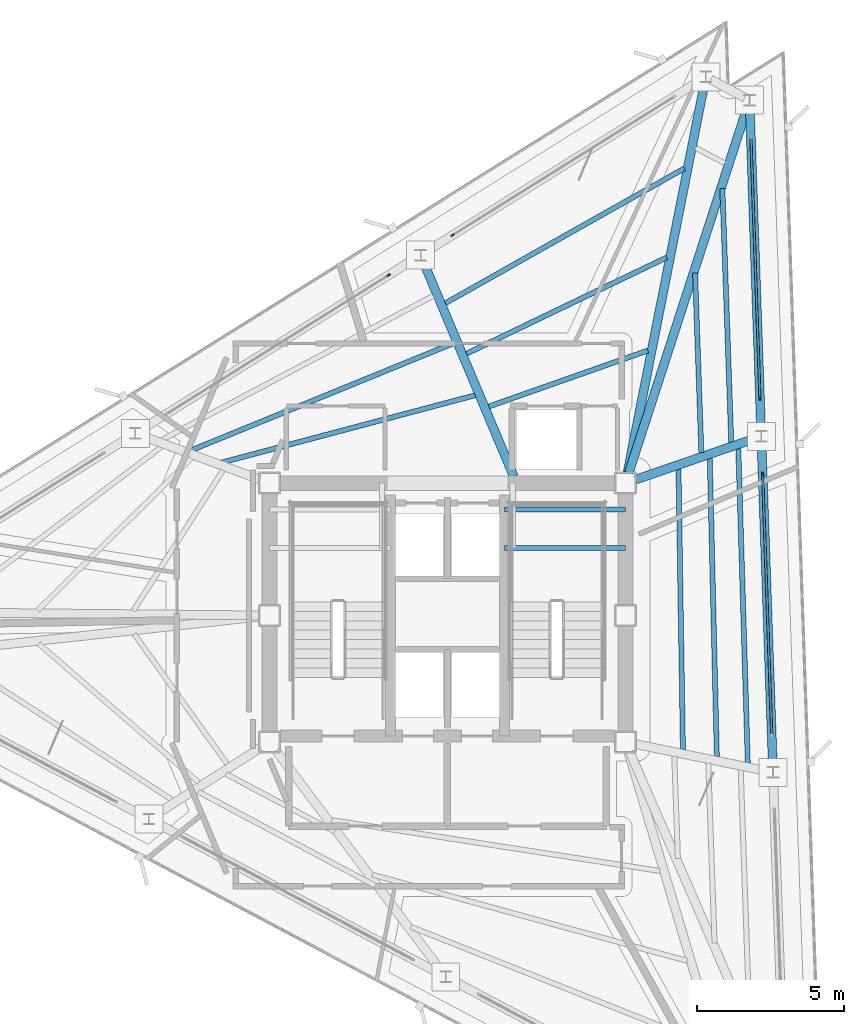
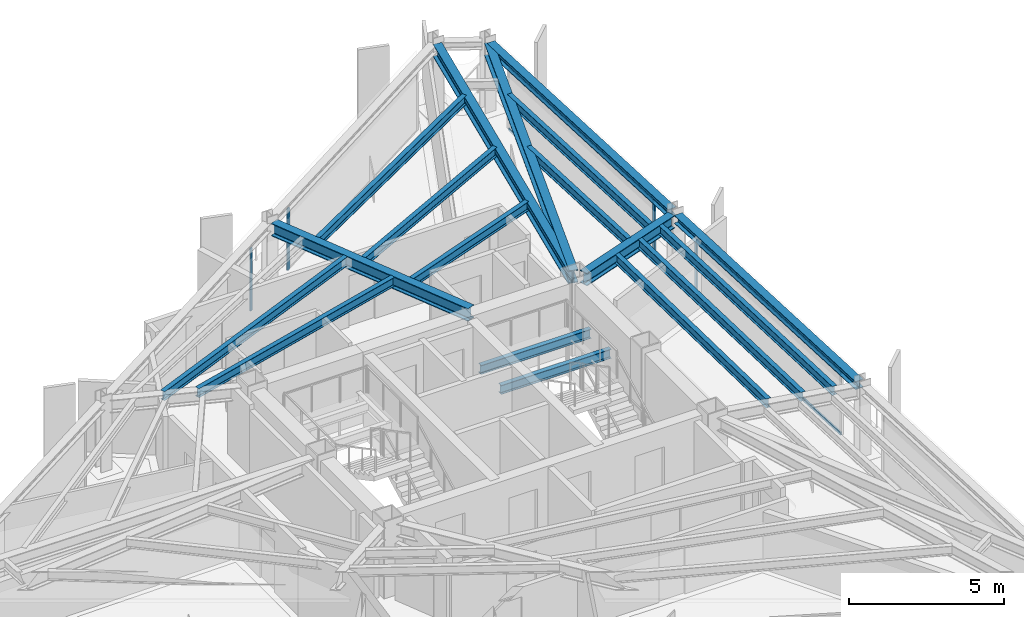
# One storey, part 5 of 13: 18 beams, 8 members, 4 elements without a shape of their own.
"""IFC4 building model written with IfcOpenShell, lengths in metres."""

from ifc_helpers import new_model, si_unit, direction, frame, origin, origin_2d, place, context, subcontext, project, spatial, rectangle, i_section, extrude, material, layer, layer_set, material_profile, profile_set, type_object, element, aggregate, save


model = new_model("IFC4")

# Units and contexts
model_context = context("Model", 3, precision=1e-05, world=origin(), true_north=direction((0.0, 1.0)))
body_context = subcontext(model_context, "Body", "Model", "MODEL_VIEW")
ifc_project = project(units=[si_unit("LENGTHUNIT", "METRE"), si_unit("AREAUNIT", "SQUARE_METRE"), si_unit("VOLUMEUNIT", "CUBIC_METRE"), si_unit("PLANEANGLEUNIT", "RADIAN"), si_unit("MASSUNIT", "GRAM", prefix="KILO")], contexts=[model_context])

# Site, building, storey
site_placement = place(None, origin())
site = spatial("IfcSite", under=ifc_project, at=site_placement, CompositionType="ELEMENT")
building_placement = place(site_placement, origin())
building = spatial("IfcBuilding", under=site, at=building_placement, Name="Rocaltana Carrier Exchange", CompositionType="ELEMENT")
storey_placement = place(building_placement, frame((0.0, 0.0, 193.60009765625)))
storey = spatial("IfcBuildingStorey", under=building, at=storey_placement, Name="L61", CompositionType="ELEMENT", Elevation=193.60009765625)

# Curtain wall, member
ifc_material_1 = material(Name="Aluminium 6063-T6", Category="aluminium")
ifc_layer = layer(ifc_material_1, 0.1201171875)
ifc_layer_set = layer_set([ifc_layer], Name="Aluminium 6063-T6")
curtain_wall_type = type_object("IfcCurtainWallType", Name="High-Altitude Thermal Curtain Wall CW-05", PredefinedType="NOTDEFINED", material=ifc_layer_set)
curtain_wall_1_placement = place(storey_placement, origin())
curtain_wall_1 = element("IfcCurtainWall", 1, at=curtain_wall_1_placement, inside=storey, type_object=curtain_wall_type, Name="L61 CW-05 Run CW-L61-F1S2", PredefinedType="NOTDEFINED")
ifc_material_2 = material(Name="Aluminium 6063-T6", Category="aluminium")
ifc_material_profile_1 = material_profile(ifc_material_2, rectangle(XDim=0.06005859375, YDim=0.1201171875, at=origin_2d()), Name="AL-60X120")
ifc_profile_set_1 = profile_set([ifc_material_profile_1], Name="Aluminium 6063-T6")
member_type_1 = type_object("IfcMemberType", Name="CW-05 Mullion AL-60X120", PredefinedType="MULLION", material=ifc_profile_set_1)
member_1_placement = place(storey_placement, frame((10.712890625, 4.8134765625, 0.0), z_axis=(0.0, 0.0, 1.0), x_axis=(-0.999390720156, -0.034902556738, 0.0)))
member_1 = element("IfcMember", 2, at=member_1_placement, type_object=member_type_1, Name="CW-05 mullion 2", PredefinedType="MULLION", context=body_context, shape_type="SweptSolid", body=[
    extrude(rectangle(XDim=0.06005859375, YDim=0.1201171875, at=origin_2d()), origin(), (0.0, 0.0, 1.0), 2.447998046875),
])

curtain_wall_2_placement = place(storey_placement, origin())
curtain_wall_2 = element("IfcCurtainWall", 3, at=curtain_wall_2_placement, inside=storey, type_object=curtain_wall_type, Name="L61 CW-05 Run CW-L61-F1S3", PredefinedType="NOTDEFINED")
member_2_placement = place(storey_placement, frame((10.62353515625, 7.371826171875, 0.0), z_axis=(0.0, 0.0, 1.0), x_axis=(-0.999390720156, -0.034902556738, 0.0)))
member_2 = element("IfcMember", 4, at=member_2_placement, type_object=member_type_1, Name="CW-05 mullion 1", PredefinedType="MULLION", context=body_context, shape_type="SweptSolid", body=[
    extrude(rectangle(XDim=0.06005859375, YDim=0.1201171875, at=origin_2d()), origin(), (0.0, 0.0, 1.0), 2.447998046875),
])

curtain_wall_3_placement = place(storey_placement, origin())
curtain_wall_3 = element("IfcCurtainWall", 5, at=curtain_wall_3_placement, inside=storey, type_object=curtain_wall_type, Name="L61 CW-05 Run CW-L61-F2S1", PredefinedType="NOTDEFINED")
member_3_placement = place(storey_placement, frame((0.171142578125, 12.9296875, 0.0), z_axis=(0.0, 0.0, 1.0), x_axis=(0.529928503412, -0.848042322807, 0.0)))
member_3 = element("IfcMember", 6, at=member_3_placement, type_object=member_type_1, Name="CW-05 mullion 2", PredefinedType="MULLION", context=body_context, shape_type="SweptSolid", body=[
    extrude(rectangle(XDim=0.06005859375, YDim=0.1201171875, at=origin_2d()), origin(), (0.0, 0.0, 1.0), 2.447998046875),
])
aggregate(curtain_wall_3, [member_3])

curtain_wall_4_placement = place(storey_placement, origin())
curtain_wall_4 = element("IfcCurtainWall", 7, at=curtain_wall_4_placement, inside=storey, type_object=curtain_wall_type, Name="L61 CW-05 Run CW-L61-F2S2", PredefinedType="NOTDEFINED")
member_4_placement = place(storey_placement, frame((-2.0, 11.572998046875, 0.0), z_axis=(0.0, 0.0, 1.0), x_axis=(0.529920452816, -0.848047353446, 0.0)))
member_4 = element("IfcMember", 8, at=member_4_placement, type_object=member_type_1, Name="CW-05 mullion 1", PredefinedType="MULLION", context=body_context, shape_type="SweptSolid", body=[
    extrude(rectangle(XDim=0.06005859375, YDim=0.1201171875, at=origin_2d()), origin(), (0.0, 0.0, 1.0), 2.447998046875),
])
aggregate(curtain_wall_4, [member_4])

# Member
ifc_material_3 = material(Name="Aluminium 6063-T6", Category="aluminium")
ifc_material_profile_2 = material_profile(ifc_material_3, rectangle(XDim=0.06005859375, YDim=0.1201171875, at=origin_2d()), Name="AL-60X120")
ifc_profile_set_2 = profile_set([ifc_material_profile_2], Name="Aluminium 6063-T6")
member_type_2 = type_object("IfcMemberType", Name="CW-05 Transom AL-60X120", PredefinedType="USERDEFINED", material=ifc_profile_set_2)
member_5_placement = place(storey_placement, frame((11.021484375, -4.024658203125, 0.02978515625), z_axis=(-0.034903051323, 0.999390702883, 0.0), x_axis=(-0.999390702883, -0.034903051323, 0.0)))
member_5 = element("IfcMember", 9, at=member_5_placement, type_object=member_type_2, Name="CW-05 transom 1.1", ObjectType="TRANSOM", PredefinedType="USERDEFINED", context=body_context, shape_type="SweptSolid", body=[
    extrude(rectangle(XDim=0.06005859375, YDim=0.1201171875, at=origin_2d()), origin(), (0.0, 0.0, 1.0), 8.8134765625),
])

member_6_placement = place(storey_placement, frame((11.021484375, -4.024658203125, 2.41796875), z_axis=(-0.034903051323, 0.999390702883, 0.0), x_axis=(-0.999390702883, -0.034903051323, 0.0)))
member_6 = element("IfcMember", 10, at=member_6_placement, type_object=member_type_2, Name="CW-05 transom 1.2", ObjectType="TRANSOM", PredefinedType="USERDEFINED", context=body_context, shape_type="SweptSolid", body=[
    extrude(rectangle(XDim=0.06005859375, YDim=0.1201171875, at=origin_2d()), origin(), (0.0, 0.0, 1.0), 8.8134765625),
])

aggregate(curtain_wall_1, [member_1, member_5, member_6])

member_7_placement = place(storey_placement, frame((10.62255859375, 7.40185546875, 0.02978515625), z_axis=(-0.034903051323, 0.999390702883, 0.0), x_axis=(-0.999390702883, -0.034903051323, 0.0)))
member_7 = element("IfcMember", 11, at=member_7_placement, type_object=member_type_2, Name="CW-05 transom 1.1", ObjectType="TRANSOM", PredefinedType="USERDEFINED", context=body_context, shape_type="SweptSolid", body=[
    extrude(rectangle(XDim=0.06005859375, YDim=0.1201171875, at=origin_2d()), origin(), (0.0, 0.0, 1.0), 8.8134765625),
])

member_8_placement = place(storey_placement, frame((10.62255859375, 7.40185546875, 2.41796875), z_axis=(-0.034903051323, 0.999390702883, 0.0), x_axis=(-0.999390702883, -0.034903051323, 0.0)))
member_8 = element("IfcMember", 12, at=member_8_placement, type_object=member_type_2, Name="CW-05 transom 1.2", ObjectType="TRANSOM", PredefinedType="USERDEFINED", context=body_context, shape_type="SweptSolid", body=[
    extrude(rectangle(XDim=0.06005859375, YDim=0.1201171875, at=origin_2d()), origin(), (0.0, 0.0, 1.0), 8.8134765625),
])

aggregate(curtain_wall_2, [member_2, member_7, member_8])

# Beams
ifc_material_4 = material(Name="Steel S355", Category="steel")
ifc_material_profile_3 = material_profile(ifc_material_4, i_section(OverallWidth=0.172119140625, OverallDepth=0.35791015625, WebThickness=0.0078125, FlangeThickness=0.01318359375, FilletRadius=0.011962890625, at=origin_2d()), Name="W14X38")
ifc_profile_set_3 = profile_set([ifc_material_profile_3], Name="Steel S355")
beam_type_1 = type_object("IfcBeamType", Name="Floor Joist W14X38", PredefinedType="JOIST", material=ifc_profile_set_3)
for number, where, z_axis, x_axis, name in (
    (13, (1.93994140625, 2.300048828125, 1.140869140625), (1.0, 0.0, 0.0), (0.0, 1.0, 0.0), "L61 ST-2 Landing Carrier 1"),
    (14, (1.93994140625, 3.60009765625, 1.140869140625), (1.0, 0.0, 0.0), (0.0, 1.0, 0.0), "L61 ST-2 Landing Carrier 2"),
):
    element("IfcBeam", number, at=place(storey_placement, frame(where, z_axis=z_axis, x_axis=x_axis)), inside=storey, type_object=beam_type_1, Name=name, PredefinedType="JOIST", context=body_context, shape_type="SweptSolid", body=[
        extrude(i_section(OverallWidth=0.172119140625, OverallDepth=0.35791015625, WebThickness=0.0078125, FlangeThickness=0.01318359375, FilletRadius=0.011962890625, at=origin_2d()), origin(), (0.0, 0.0, 1.0), 4.110107421875),
    ])
beam_1_placement = place(storey_placement, frame((8.00439453125, -4.55908203125, 2.618896484375), z_axis=(-0.015819427731, 0.999874865024, 0.0), x_axis=(-0.999874865024, -0.015819427731, 0.0)))
element("IfcBeam", 15, at=beam_1_placement, inside=storey, type_object=beam_type_1, Name="FJ-L61-02-1", PredefinedType="JOIST", context=body_context, shape_type="SweptSolid", body=[
    extrude(i_section(OverallWidth=0.172119140625, OverallDepth=0.35791015625, WebThickness=0.0078125, FlangeThickness=0.01318359375, FilletRadius=0.011962890625, at=origin_2d()), origin(), (0.0, 0.0, 1.0), 9.53759765625),
])
beam_2_placement = place(storey_placement, frame((9.1572265625, -4.796875, 2.618896484375), z_axis=(-0.023708273398, 0.999718919383, 0.0), x_axis=(-0.999718919383, -0.023708273398, 0.0)))
element("IfcBeam", 16, at=beam_2_placement, inside=storey, type_object=beam_type_1, Name="FJ-L61-02-2", PredefinedType="JOIST", context=body_context, shape_type="SweptSolid", body=[
    extrude(i_section(OverallWidth=0.172119140625, OverallDepth=0.35791015625, WebThickness=0.0078125, FlangeThickness=0.01318359375, FilletRadius=0.011962890625, at=origin_2d()), origin(), (0.0, 0.0, 1.0), 10.143310546875),
])
beam_3_placement = place(storey_placement, frame((10.2099609375, -5.013916015625, 2.618896484375), z_axis=(-0.030150236213, 0.999545378288, 0.0), x_axis=(-0.999545378288, -0.030150236213, 0.0)))
element("IfcBeam", 17, at=beam_3_placement, inside=storey, type_object=beam_type_1, Name="FJ-L61-02-3", PredefinedType="JOIST", context=body_context, shape_type="SweptSolid", body=[
    extrude(i_section(OverallWidth=0.172119140625, OverallDepth=0.35791015625, WebThickness=0.0078125, FlangeThickness=0.01318359375, FilletRadius=0.011962890625, at=origin_2d()), origin(), (0.0, 0.0, 1.0), 10.69677734375),
])
beam_4_placement = place(storey_placement, frame((8.631103515625, 5.535888671875, 2.618896484375), z_axis=(-0.034896830371, 0.999390920126, 0.0), x_axis=(-0.999390920126, -0.034896830371, 0.0)))
element("IfcBeam", 18, at=beam_4_placement, inside=storey, type_object=beam_type_1, Name="FJ-L61-03-2", PredefinedType="JOIST", context=body_context, shape_type="SweptSolid", body=[
    extrude(i_section(OverallWidth=0.172119140625, OverallDepth=0.35791015625, WebThickness=0.0078125, FlangeThickness=0.01318359375, FilletRadius=0.011962890625, at=origin_2d()), origin(), (0.0, 0.0, 1.0), 6.114501953125),
])
beam_5_placement = place(storey_placement, frame((9.647216796875, 5.88623046875, 2.618896484375), z_axis=(-0.034909498386, 0.999390477703, 0.0), x_axis=(-0.999390477703, -0.034909498386, 0.0)))
element("IfcBeam", 19, at=beam_5_placement, inside=storey, type_object=beam_type_1, Name="FJ-L61-03-3", PredefinedType="JOIST", context=body_context, shape_type="SweptSolid", body=[
    extrude(i_section(OverallWidth=0.172119140625, OverallDepth=0.35791015625, WebThickness=0.0078125, FlangeThickness=0.01318359375, FilletRadius=0.011962890625, at=origin_2d()), origin(), (0.0, 0.0, 1.0), 8.630126953125),
])
beam_6_placement = place(storey_placement, frame((6.815673828125, 9.009521484375, 2.618896484375), z_axis=(-0.943243231167, -0.332102705285, 0.0), x_axis=(0.332102705285, -0.943243231167, 0.0)))
element("IfcBeam", 20, at=beam_6_placement, inside=storey, type_object=beam_type_1, Name="FJ-L61-05-1", PredefinedType="JOIST", context=body_context, shape_type="SweptSolid", body=[
    extrude(i_section(OverallWidth=0.172119140625, OverallDepth=0.35791015625, WebThickness=0.0078125, FlangeThickness=0.01318359375, FilletRadius=0.011962890625, at=origin_2d()), origin(), (0.0, 0.0, 1.0), 5.732666015625),
])
beam_7_placement = place(storey_placement, frame((7.449951171875, 12.17138671875, 2.618896484375), z_axis=(-0.90125874398, -0.433281290155, 0.0), x_axis=(0.433281290155, -0.90125874398, 0.0)))
element("IfcBeam", 21, at=beam_7_placement, inside=storey, type_object=beam_type_1, Name="FJ-L61-05-2", PredefinedType="JOIST", context=body_context, shape_type="SweptSolid", body=[
    extrude(i_section(OverallWidth=0.172119140625, OverallDepth=0.35791015625, WebThickness=0.0078125, FlangeThickness=0.01318359375, FilletRadius=0.011962890625, at=origin_2d()), origin(), (0.0, 0.0, 1.0), 7.543212890625),
])
beam_8_placement = place(storey_placement, frame((8.05517578125, 15.201171875, 2.618896484375), z_axis=(-0.870951476943, -0.491369031187, 0.0), x_axis=(0.491369031187, -0.870951476943, 0.0)))
element("IfcBeam", 22, at=beam_8_placement, inside=storey, type_object=beam_type_1, Name="FJ-L61-05-3", PredefinedType="JOIST", context=body_context, shape_type="SweptSolid", body=[
    extrude(i_section(OverallWidth=0.172119140625, OverallDepth=0.35791015625, WebThickness=0.0078125, FlangeThickness=0.01318359375, FilletRadius=0.011962890625, at=origin_2d()), origin(), (0.0, 0.0, 1.0), 9.330078125),
])
beam_9_placement = place(storey_placement, frame((0.937744140625, 7.486083984375, 2.618896484375), z_axis=(-0.966555608165, -0.256457123756, 0.0), x_axis=(0.256457123756, -0.966555608165, 0.0)))
element("IfcBeam", 23, at=beam_9_placement, inside=storey, type_object=beam_type_1, Name="FJ-L61-06-1", PredefinedType="JOIST", context=body_context, shape_type="SweptSolid", body=[
    extrude(i_section(OverallWidth=0.172119140625, OverallDepth=0.35791015625, WebThickness=0.0078125, FlangeThickness=0.01318359375, FilletRadius=0.011962890625, at=origin_2d()), origin(), (0.0, 0.0, 1.0), 8.92578125),
])
beam_10_placement = place(storey_placement, frame((0.192626953125, 9.25146484375, 2.618896484375), z_axis=(-0.925846018296, -0.37790097963, 0.0), x_axis=(0.37790097963, -0.925846018296, 0.0)))
element("IfcBeam", 24, at=beam_10_placement, inside=storey, type_object=beam_type_1, Name="FJ-L61-06-2", PredefinedType="JOIST", context=body_context, shape_type="SweptSolid", body=[
    extrude(i_section(OverallWidth=0.172119140625, OverallDepth=0.35791015625, WebThickness=0.0078125, FlangeThickness=0.01318359375, FilletRadius=0.011962890625, at=origin_2d()), origin(), (0.0, 0.0, 1.0), 9.652587890625),
])
ifc_material_5 = material(Name="Steel S355", Category="steel")
ifc_material_profile_4 = material_profile(ifc_material_5, i_section(OverallWidth=0.300048828125, OverallDepth=0.320068359375, WebThickness=0.011474609375, FlangeThickness=0.0205078125, FilletRadius=0.027099609375, at=origin_2d()), Name="HEB320")
ifc_profile_set_4 = profile_set([ifc_material_profile_4], Name="Steel S355")
beam_type_2 = type_object("IfcBeamType", Name="Spandrel Edge Beam HEB320", PredefinedType="SPANDREL", material=ifc_profile_set_4)
beam_11_placement = place(storey_placement, frame((11.060791015625, -5.148193359375, 2.637939453125), z_axis=(-0.034892504549, 0.999391071166, 0.0), x_axis=(-0.999391071166, -0.034892504549, 0.0)))
element("IfcBeam", 25, at=beam_11_placement, inside=storey, type_object=beam_type_2, Name="SP-L61-02", PredefinedType="SPANDREL", context=body_context, shape_type="SweptSolid", body=[
    extrude(i_section(OverallWidth=0.300048828125, OverallDepth=0.320068359375, WebThickness=0.011474609375, FlangeThickness=0.0205078125, FilletRadius=0.027099609375, at=origin_2d()), origin(), (0.0, 0.0, 1.0), 11.062255859375),
])
beam_12_placement = place(storey_placement, frame((10.66162109375, 6.278076171875, 2.637939453125), z_axis=(-0.034891734961, 0.999391098035, 0.0), x_axis=(-0.999391098035, -0.034891734961, 0.0)))
element("IfcBeam", 26, at=beam_12_placement, inside=storey, type_object=beam_type_2, Name="SP-L61-03", PredefinedType="SPANDREL", context=body_context, shape_type="SweptSolid", body=[
    extrude(i_section(OverallWidth=0.300048828125, OverallDepth=0.320068359375, WebThickness=0.011474609375, FlangeThickness=0.0205078125, FilletRadius=0.027099609375, at=origin_2d()), origin(), (0.0, 0.0, 1.0), 11.0625),
])
ifc_material_6 = material(Name="Steel S355", Category="steel")
ifc_material_profile_5 = material_profile(ifc_material_6, i_section(OverallWidth=0.300048828125, OverallDepth=0.5, WebThickness=0.014404296875, FlangeThickness=0.028076171875, FilletRadius=0.027099609375, at=origin_2d()), Name="HEB500")
ifc_profile_set_5 = profile_set([ifc_material_profile_5], Name="Steel S355")
beam_type_3 = type_object("IfcBeamType", Name="Upper Radial Girder HEB500", PredefinedType="BEAM", material=ifc_profile_set_5)
beam_13_placement = place(storey_placement, frame((6.39697265625, 4.61962890625, 2.5478515625), z_axis=(0.945358609148, 0.326032360525, 0.0), x_axis=(-0.326032360525, 0.945358609148, 0.0)))
element("IfcBeam", 27, at=beam_13_placement, inside=storey, type_object=beam_type_3, Name="RG-L61-03", PredefinedType="BEAM", context=body_context, shape_type="SweptSolid", body=[
    extrude(i_section(OverallWidth=0.300048828125, OverallDepth=0.5, WebThickness=0.014404296875, FlangeThickness=0.028076171875, FilletRadius=0.027099609375, at=origin_2d()), origin(), (0.0, 0.0, 1.0), 4.332763671875),
])
beam_14_placement = place(storey_placement, frame((6.1630859375, 4.84912109375, 2.5478515625), z_axis=(0.308291934465, 0.951291797055, 0.0), x_axis=(-0.951291797055, 0.308291934465, 0.0)))
element("IfcBeam", 28, at=beam_14_placement, inside=storey, type_object=beam_type_3, Name="RG-L61-04", PredefinedType="BEAM", context=body_context, shape_type="SweptSolid", body=[
    extrude(i_section(OverallWidth=0.300048828125, OverallDepth=0.5, WebThickness=0.014404296875, FlangeThickness=0.028076171875, FilletRadius=0.027099609375, at=origin_2d()), origin(), (0.0, 0.0, 1.0), 13.133056640625),
])
beam_15_placement = place(storey_placement, frame((6.12109375, 4.860107421875, 2.5478515625), z_axis=(0.194046791862, 0.980992274469, 0.0), x_axis=(-0.980992274469, 0.194046791862, 0.0)))
element("IfcBeam", 29, at=beam_15_placement, inside=storey, type_object=beam_type_3, Name="RG-L61-05", PredefinedType="BEAM", context=body_context, shape_type="SweptSolid", body=[
    extrude(i_section(OverallWidth=0.300048828125, OverallDepth=0.5, WebThickness=0.014404296875, FlangeThickness=0.028076171875, FilletRadius=0.027099609375, at=origin_2d()), origin(), (0.0, 0.0, 1.0), 13.525146484375),
])
beam_16_placement = place(storey_placement, frame((2.256103515625, 4.722900390625, 2.5478515625), z_axis=(-0.388139028608, 0.921600832503, 0.0), x_axis=(-0.921600832503, -0.388139028608, 0.0)))
element("IfcBeam", 30, at=beam_16_placement, inside=storey, type_object=beam_type_3, Name="RG-L61-06", PredefinedType="BEAM", context=body_context, shape_type="SweptSolid", body=[
    extrude(i_section(OverallWidth=0.300048828125, OverallDepth=0.5, WebThickness=0.014404296875, FlangeThickness=0.028076171875, FilletRadius=0.027099609375, at=origin_2d()), origin(), (0.0, 0.0, 1.0), 7.9833984375),
])

save(model, "model.ifc")
